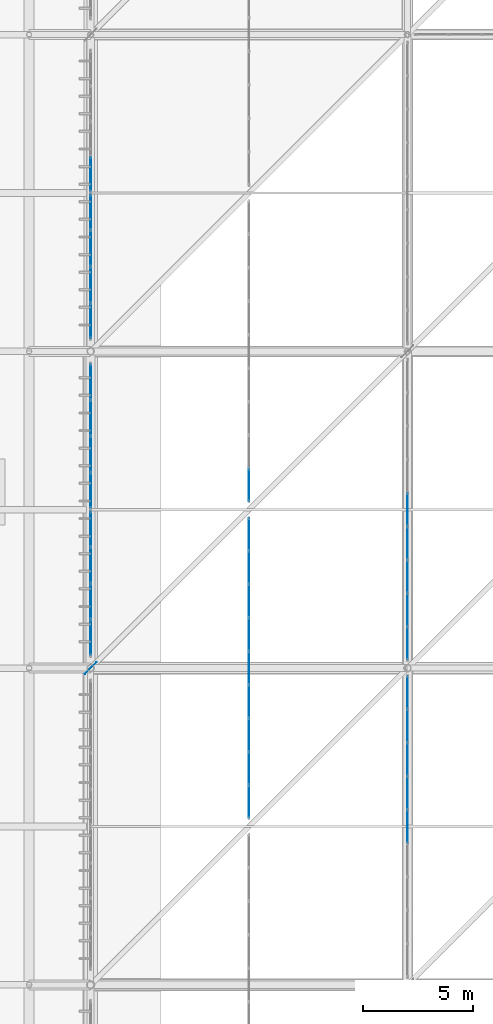
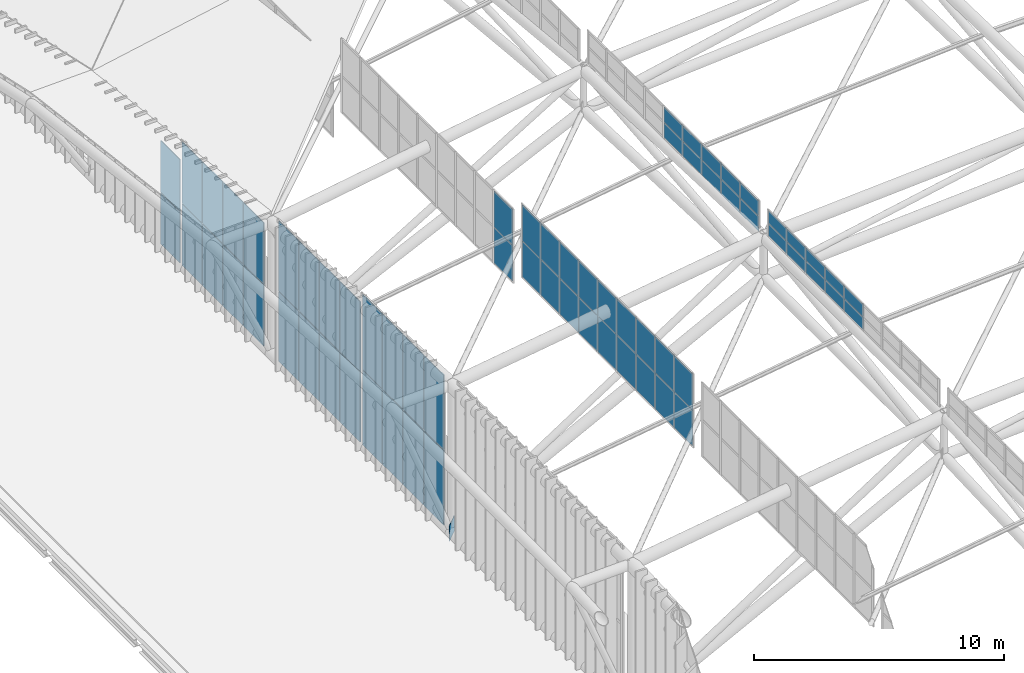
# One storey, part 372 of 397: 67 plates, 8 elements without a shape of their own.
"""IFC4 building model written with IfcOpenShell, lengths in metres."""

from ifc_helpers import new_model, si_unit, direction, frame, origin, origin_2d, place, context, subcontext, project, spatial, rectangle, extrude, material, layer, layer_set, type_object, element, aggregate, save


model = new_model("IFC4")

# Units and contexts
model_context = context("Model", 3, precision=1e-05, world=origin(), true_north=direction((0.0, 1.0)))
body_context = subcontext(model_context, "Body", "Model", "MODEL_VIEW")
ifc_project = project(units=[si_unit("LENGTHUNIT", "METRE"), si_unit("AREAUNIT", "SQUARE_METRE"), si_unit("VOLUMEUNIT", "CUBIC_METRE"), si_unit("PLANEANGLEUNIT", "RADIAN"), si_unit("MASSUNIT", "GRAM", prefix="KILO")], contexts=[model_context])

# Site, building, storey
site_placement = place(None, origin())
site = spatial("IfcSite", under=ifc_project, at=site_placement, CompositionType="ELEMENT")
building_placement = place(site_placement, origin())
building = spatial("IfcBuilding", under=site, at=building_placement, Name="Qandorah Velis Arena", CompositionType="ELEMENT")
storey_placement = place(building_placement, frame((0.0, 0.0, 27.5)))
storey = spatial("IfcBuildingStorey", under=building, at=storey_placement, Name="RF", CompositionType="ELEMENT", Elevation=27.5)

# Curtain wall, plates
ifc_material_1 = material(Name="Solar-control low-E double glazing", Category="glass")
curtain_wall_type_1 = type_object("IfcCurtainWallType", Name="ARC-CW-SYS10", PredefinedType="USERDEFINED", material=ifc_material_1)
curtain_wall_1_placement = place(storey_placement, origin())
curtain_wall_1 = element("IfcCurtainWall", 1, at=curtain_wall_1_placement, inside=storey, type_object=curtain_wall_type_1, Name="Unitised curtain wall MON-1-4", ObjectType="UNITISED CURTAIN WALL", PredefinedType="USERDEFINED")
ifc_layer_1 = layer(ifc_material_1, 0.030029296875)
ifc_layer_set_1 = layer_set([ifc_layer_1], Name="Solar-control low-E double glazing")
plate_type_1 = type_object("IfcPlateType", Name="ARC-CWP-GLZ30", PredefinedType="CURTAIN_PANEL", material=ifc_layer_set_1)
plate_1_placement = place(storey_placement, frame((21.60009765625, 65.9248046875, 5.89013671875), z_axis=(0.0, 0.0, 1.0), x_axis=(0.0, 1.0, 0.0)))
plate_1 = element("IfcPlate", 2, at=plate_1_placement, type_object=plate_type_1, Name="CW10 panel 1.1", PredefinedType="CURTAIN_PANEL", context=body_context, shape_type="SweptSolid", body=[
    extrude(rectangle(XDim=1.459716796875, YDim=0.030029296875, at=origin_2d()), origin(), (0.0, 0.0, 1.0), 1.737548828125),
])
plate_2_placement = place(storey_placement, frame((21.60009765625, 65.9248046875, 7.66259765625), z_axis=(0.0, 0.0, 1.0), x_axis=(0.0, 1.0, 0.0)))
plate_2 = element("IfcPlate", 3, at=plate_2_placement, type_object=plate_type_1, Name="CW10 panel 1.2", PredefinedType="CURTAIN_PANEL", context=body_context, shape_type="SweptSolid", body=[
    extrude(rectangle(XDim=1.459716796875, YDim=0.030029296875, at=origin_2d()), origin(), (0.0, 0.0, 1.0), 1.737548828125),
])
plate_3_placement = place(storey_placement, frame((21.60009765625, 67.433349609375, 5.89013671875), z_axis=(0.0, 0.0, 1.0), x_axis=(0.0, 1.0, 0.0)))
plate_3 = element("IfcPlate", 4, at=plate_3_placement, type_object=plate_type_1, Name="CW10 panel 2.1", PredefinedType="CURTAIN_PANEL", context=body_context, shape_type="SweptSolid", body=[
    extrude(rectangle(XDim=1.4873046875, YDim=0.030029296875, at=origin_2d()), origin(), (0.0, 0.0, 1.0), 1.737548828125),
])
plate_4_placement = place(storey_placement, frame((21.60009765625, 67.433349609375, 7.66259765625), z_axis=(0.0, 0.0, 1.0), x_axis=(0.0, 1.0, 0.0)))
plate_4 = element("IfcPlate", 5, at=plate_4_placement, type_object=plate_type_1, Name="CW10 panel 2.2", PredefinedType="CURTAIN_PANEL", context=body_context, shape_type="SweptSolid", body=[
    extrude(rectangle(XDim=1.4873046875, YDim=0.030029296875, at=origin_2d()), origin(), (0.0, 0.0, 1.0), 1.737548828125),
])
plate_5_placement = place(storey_placement, frame((21.60009765625, 68.95556640625, 5.89013671875), z_axis=(0.0, 0.0, 1.0), x_axis=(0.0, 1.0, 0.0)))
plate_5 = element("IfcPlate", 6, at=plate_5_placement, type_object=plate_type_1, Name="CW10 panel 3.1", PredefinedType="CURTAIN_PANEL", context=body_context, shape_type="SweptSolid", body=[
    extrude(rectangle(XDim=1.4873046875, YDim=0.030029296875, at=origin_2d()), origin(), (0.0, 0.0, 1.0), 1.737548828125),
])
plate_6_placement = place(storey_placement, frame((21.60009765625, 68.95556640625, 7.66259765625), z_axis=(0.0, 0.0, 1.0), x_axis=(0.0, 1.0, 0.0)))
plate_6 = element("IfcPlate", 7, at=plate_6_placement, type_object=plate_type_1, Name="CW10 panel 3.2", PredefinedType="CURTAIN_PANEL", context=body_context, shape_type="SweptSolid", body=[
    extrude(rectangle(XDim=1.4873046875, YDim=0.030029296875, at=origin_2d()), origin(), (0.0, 0.0, 1.0), 1.737548828125),
])
plate_7_placement = place(storey_placement, frame((21.60009765625, 70.477783203125, 5.89013671875), z_axis=(0.0, 0.0, 1.0), x_axis=(0.0, 1.0, 0.0)))
plate_7 = element("IfcPlate", 8, at=plate_7_placement, type_object=plate_type_1, Name="CW10 panel 4.1", PredefinedType="CURTAIN_PANEL", context=body_context, shape_type="SweptSolid", body=[
    extrude(rectangle(XDim=1.4873046875, YDim=0.030029296875, at=origin_2d()), origin(), (0.0, 0.0, 1.0), 1.737548828125),
])
plate_8_placement = place(storey_placement, frame((21.60009765625, 70.477783203125, 7.66259765625), z_axis=(0.0, 0.0, 1.0), x_axis=(0.0, 1.0, 0.0)))
plate_8 = element("IfcPlate", 9, at=plate_8_placement, type_object=plate_type_1, Name="CW10 panel 4.2", PredefinedType="CURTAIN_PANEL", context=body_context, shape_type="SweptSolid", body=[
    extrude(rectangle(XDim=1.4873046875, YDim=0.030029296875, at=origin_2d()), origin(), (0.0, 0.0, 1.0), 1.737548828125),
])
plate_9_placement = place(storey_placement, frame((21.60009765625, 72.0, 5.89013671875), z_axis=(0.0, 0.0, 1.0), x_axis=(0.0, 1.0, 0.0)))
plate_9 = element("IfcPlate", 10, at=plate_9_placement, type_object=plate_type_1, Name="CW10 panel 5.1", PredefinedType="CURTAIN_PANEL", context=body_context, shape_type="SweptSolid", body=[
    extrude(rectangle(XDim=1.4873046875, YDim=0.030029296875, at=origin_2d()), origin(), (0.0, 0.0, 1.0), 1.737548828125),
])
plate_10_placement = place(storey_placement, frame((21.60009765625, 72.0, 7.66259765625), z_axis=(0.0, 0.0, 1.0), x_axis=(0.0, 1.0, 0.0)))
plate_10 = element("IfcPlate", 11, at=plate_10_placement, type_object=plate_type_1, Name="CW10 panel 5.2", PredefinedType="CURTAIN_PANEL", context=body_context, shape_type="SweptSolid", body=[
    extrude(rectangle(XDim=1.4873046875, YDim=0.030029296875, at=origin_2d()), origin(), (0.0, 0.0, 1.0), 1.737548828125),
])
plate_11_placement = place(storey_placement, frame((21.60009765625, 73.522216796875, 5.89013671875), z_axis=(0.0, 0.0, 1.0), x_axis=(0.0, 1.0, 0.0)))
plate_11 = element("IfcPlate", 12, at=plate_11_placement, type_object=plate_type_1, Name="CW10 panel 6.1", PredefinedType="CURTAIN_PANEL", context=body_context, shape_type="SweptSolid", body=[
    extrude(rectangle(XDim=1.4873046875, YDim=0.030029296875, at=origin_2d()), origin(), (0.0, 0.0, 1.0), 1.737548828125),
])
plate_12_placement = place(storey_placement, frame((21.60009765625, 73.522216796875, 7.66259765625), z_axis=(0.0, 0.0, 1.0), x_axis=(0.0, 1.0, 0.0)))
plate_12 = element("IfcPlate", 13, at=plate_12_placement, type_object=plate_type_1, Name="CW10 panel 6.2", PredefinedType="CURTAIN_PANEL", context=body_context, shape_type="SweptSolid", body=[
    extrude(rectangle(XDim=1.4873046875, YDim=0.030029296875, at=origin_2d()), origin(), (0.0, 0.0, 1.0), 1.737548828125),
])
plate_13_placement = place(storey_placement, frame((21.60009765625, 75.04443359375, 5.89013671875), z_axis=(0.0, 0.0, 1.0), x_axis=(0.0, 1.0, 0.0)))
plate_13 = element("IfcPlate", 14, at=plate_13_placement, type_object=plate_type_1, Name="CW10 panel 7.1", PredefinedType="CURTAIN_PANEL", context=body_context, shape_type="SweptSolid", body=[
    extrude(rectangle(XDim=1.4873046875, YDim=0.030029296875, at=origin_2d()), origin(), (0.0, 0.0, 1.0), 1.737548828125),
])
plate_14_placement = place(storey_placement, frame((21.60009765625, 75.04443359375, 7.66259765625), z_axis=(0.0, 0.0, 1.0), x_axis=(0.0, 1.0, 0.0)))
plate_14 = element("IfcPlate", 15, at=plate_14_placement, type_object=plate_type_1, Name="CW10 panel 7.2", PredefinedType="CURTAIN_PANEL", context=body_context, shape_type="SweptSolid", body=[
    extrude(rectangle(XDim=1.4873046875, YDim=0.030029296875, at=origin_2d()), origin(), (0.0, 0.0, 1.0), 1.737548828125),
])
plate_15_placement = place(storey_placement, frame((21.60009765625, 76.566650390625, 5.89013671875), z_axis=(0.0, 0.0, 1.0), x_axis=(0.0, 1.0, 0.0)))
plate_15 = element("IfcPlate", 16, at=plate_15_placement, type_object=plate_type_1, Name="CW10 panel 8.1", PredefinedType="CURTAIN_PANEL", context=body_context, shape_type="SweptSolid", body=[
    extrude(rectangle(XDim=1.4873046875, YDim=0.030029296875, at=origin_2d()), origin(), (0.0, 0.0, 1.0), 1.737548828125),
])
plate_16_placement = place(storey_placement, frame((21.60009765625, 76.566650390625, 7.66259765625), z_axis=(0.0, 0.0, 1.0), x_axis=(0.0, 1.0, 0.0)))
plate_16 = element("IfcPlate", 17, at=plate_16_placement, type_object=plate_type_1, Name="CW10 panel 8.2", PredefinedType="CURTAIN_PANEL", context=body_context, shape_type="SweptSolid", body=[
    extrude(rectangle(XDim=1.4873046875, YDim=0.030029296875, at=origin_2d()), origin(), (0.0, 0.0, 1.0), 1.737548828125),
])
plate_17_placement = place(storey_placement, frame((21.60009765625, 78.0751953125, 5.89013671875), z_axis=(0.0, 0.0, 1.0), x_axis=(0.0, 1.0, 0.0)))
plate_17 = element("IfcPlate", 18, at=plate_17_placement, type_object=plate_type_1, Name="CW10 panel 9.1", PredefinedType="CURTAIN_PANEL", context=body_context, shape_type="SweptSolid", body=[
    extrude(rectangle(XDim=1.459716796875, YDim=0.030029296875, at=origin_2d()), origin(), (0.0, 0.0, 1.0), 1.737548828125),
])
plate_18_placement = place(storey_placement, frame((21.60009765625, 78.0751953125, 7.66259765625), z_axis=(0.0, 0.0, 1.0), x_axis=(0.0, 1.0, 0.0)))
plate_18 = element("IfcPlate", 19, at=plate_18_placement, type_object=plate_type_1, Name="CW10 panel 9.2", PredefinedType="CURTAIN_PANEL", context=body_context, shape_type="SweptSolid", body=[
    extrude(rectangle(XDim=1.459716796875, YDim=0.030029296875, at=origin_2d()), origin(), (0.0, 0.0, 1.0), 1.737548828125),
])
aggregate(curtain_wall_1, [plate_1, plate_2, plate_3, plate_4, plate_5, plate_6, plate_7, plate_8, plate_9, plate_10, plate_11, plate_12, plate_13, plate_14, plate_15, plate_16, plate_17, plate_18])

curtain_wall_type_2 = type_object("IfcCurtainWallType", Name="ARC-CW-SYS11", PredefinedType="USERDEFINED", material=ifc_material_1)
curtain_wall_2_placement = place(storey_placement, origin())
curtain_wall_2 = element("IfcCurtainWall", 20, at=curtain_wall_2_placement, inside=storey, type_object=curtain_wall_type_2, Name="Unitised curtain wall MON-1-5", ObjectType="UNITISED CURTAIN WALL", PredefinedType="USERDEFINED")
plate_19_placement = place(storey_placement, frame((21.60009765625, 80.324951171875, 5.1943359375), z_axis=(0.0, 0.0, 1.0), x_axis=(0.0, 1.0, 0.0)))
plate_19 = element("IfcPlate", 21, at=plate_19_placement, type_object=plate_type_1, Name="CW11 panel 1.1", PredefinedType="CURTAIN_PANEL", context=body_context, shape_type="SweptSolid", body=[
    extrude(rectangle(XDim=1.459716796875, YDim=0.030029296875, at=origin_2d()), origin(), (0.0, 0.0, 1.0), 1.737548828125),
])
plate_20_placement = place(storey_placement, frame((21.60009765625, 80.324951171875, 6.966796875), z_axis=(0.0, 0.0, 1.0), x_axis=(0.0, 1.0, 0.0)))
plate_20 = element("IfcPlate", 22, at=plate_20_placement, type_object=plate_type_1, Name="CW11 panel 1.2", PredefinedType="CURTAIN_PANEL", context=body_context, shape_type="SweptSolid", body=[
    extrude(rectangle(XDim=1.459716796875, YDim=0.030029296875, at=origin_2d()), origin(), (0.0, 0.0, 1.0), 1.737548828125),
])
aggregate(curtain_wall_2, [plate_19, plate_20])

curtain_wall_type_3 = type_object("IfcCurtainWallType", Name="ARC-CW-SYS08", PredefinedType="USERDEFINED", material=ifc_material_1)
curtain_wall_3_placement = place(storey_placement, origin())
curtain_wall_3 = element("IfcCurtainWall", 23, at=curtain_wall_3_placement, inside=storey, type_object=curtain_wall_type_3, Name="Unitised curtain wall OCULUS-1-3", ObjectType="UNITISED CURTAIN WALL", PredefinedType="USERDEFINED")
plate_21_placement = place(storey_placement, frame((28.800048828125, 64.800048828125, 9.744140625), z_axis=(0.0, 0.0, 1.0), x_axis=(0.0, 1.0, 0.0)))
plate_21 = element("IfcPlate", 24, at=plate_21_placement, type_object=plate_type_1, Name="CW08 panel 5.1", PredefinedType="CURTAIN_PANEL", context=body_context, shape_type="SweptSolid", body=[
    extrude(rectangle(XDim=1.4873046875, YDim=0.030029296875, at=origin_2d()), origin(), (0.0, 0.0, 1.0), 0.587890625),
])
plate_22_placement = place(storey_placement, frame((28.800048828125, 64.800048828125, 10.366943359375), z_axis=(0.0, 0.0, 1.0), x_axis=(0.0, 1.0, 0.0)))
plate_22 = element("IfcPlate", 25, at=plate_22_placement, type_object=plate_type_1, Name="CW08 panel 5.2", PredefinedType="CURTAIN_PANEL", context=body_context, shape_type="SweptSolid", body=[
    extrude(rectangle(XDim=1.4873046875, YDim=0.030029296875, at=origin_2d()), origin(), (0.0, 0.0, 1.0), 0.587890625),
])
plate_23_placement = place(storey_placement, frame((28.800048828125, 66.322265625, 9.744140625), z_axis=(0.0, 0.0, 1.0), x_axis=(0.0, 1.0, 0.0)))
plate_23 = element("IfcPlate", 26, at=plate_23_placement, type_object=plate_type_1, Name="CW08 panel 6.1", PredefinedType="CURTAIN_PANEL", context=body_context, shape_type="SweptSolid", body=[
    extrude(rectangle(XDim=1.4873046875, YDim=0.030029296875, at=origin_2d()), origin(), (0.0, 0.0, 1.0), 0.587890625),
])
plate_24_placement = place(storey_placement, frame((28.800048828125, 66.322265625, 10.366943359375), z_axis=(0.0, 0.0, 1.0), x_axis=(0.0, 1.0, 0.0)))
plate_24 = element("IfcPlate", 27, at=plate_24_placement, type_object=plate_type_1, Name="CW08 panel 6.2", PredefinedType="CURTAIN_PANEL", context=body_context, shape_type="SweptSolid", body=[
    extrude(rectangle(XDim=1.4873046875, YDim=0.030029296875, at=origin_2d()), origin(), (0.0, 0.0, 1.0), 0.587890625),
])
plate_25_placement = place(storey_placement, frame((28.800048828125, 67.844482421875, 9.744140625), z_axis=(0.0, 0.0, 1.0), x_axis=(0.0, 1.0, 0.0)))
plate_25 = element("IfcPlate", 28, at=plate_25_placement, type_object=plate_type_1, Name="CW08 panel 7.1", PredefinedType="CURTAIN_PANEL", context=body_context, shape_type="SweptSolid", body=[
    extrude(rectangle(XDim=1.4873046875, YDim=0.030029296875, at=origin_2d()), origin(), (0.0, 0.0, 1.0), 0.587890625),
])
plate_26_placement = place(storey_placement, frame((28.800048828125, 67.844482421875, 10.366943359375), z_axis=(0.0, 0.0, 1.0), x_axis=(0.0, 1.0, 0.0)))
plate_26 = element("IfcPlate", 29, at=plate_26_placement, type_object=plate_type_1, Name="CW08 panel 7.2", PredefinedType="CURTAIN_PANEL", context=body_context, shape_type="SweptSolid", body=[
    extrude(rectangle(XDim=1.4873046875, YDim=0.030029296875, at=origin_2d()), origin(), (0.0, 0.0, 1.0), 0.587890625),
])
plate_27_placement = place(storey_placement, frame((28.800048828125, 69.36669921875, 9.744140625), z_axis=(0.0, 0.0, 1.0), x_axis=(0.0, 1.0, 0.0)))
plate_27 = element("IfcPlate", 30, at=plate_27_placement, type_object=plate_type_1, Name="CW08 panel 8.1", PredefinedType="CURTAIN_PANEL", context=body_context, shape_type="SweptSolid", body=[
    extrude(rectangle(XDim=1.4873046875, YDim=0.030029296875, at=origin_2d()), origin(), (0.0, 0.0, 1.0), 0.587890625),
])
plate_28_placement = place(storey_placement, frame((28.800048828125, 69.36669921875, 10.366943359375), z_axis=(0.0, 0.0, 1.0), x_axis=(0.0, 1.0, 0.0)))
plate_28 = element("IfcPlate", 31, at=plate_28_placement, type_object=plate_type_1, Name="CW08 panel 8.2", PredefinedType="CURTAIN_PANEL", context=body_context, shape_type="SweptSolid", body=[
    extrude(rectangle(XDim=1.4873046875, YDim=0.030029296875, at=origin_2d()), origin(), (0.0, 0.0, 1.0), 0.587890625),
])
plate_29_placement = place(storey_placement, frame((28.800048828125, 70.875244140625, 9.744140625), z_axis=(0.0, 0.0, 1.0), x_axis=(0.0, 1.0, 0.0)))
plate_29 = element("IfcPlate", 32, at=plate_29_placement, type_object=plate_type_1, Name="CW08 panel 9.1", PredefinedType="CURTAIN_PANEL", context=body_context, shape_type="SweptSolid", body=[
    extrude(rectangle(XDim=1.459716796875, YDim=0.030029296875, at=origin_2d()), origin(), (0.0, 0.0, 1.0), 0.587890625),
])
plate_30_placement = place(storey_placement, frame((28.800048828125, 70.875244140625, 10.366943359375), z_axis=(0.0, 0.0, 1.0), x_axis=(0.0, 1.0, 0.0)))
plate_30 = element("IfcPlate", 33, at=plate_30_placement, type_object=plate_type_1, Name="CW08 panel 9.2", PredefinedType="CURTAIN_PANEL", context=body_context, shape_type="SweptSolid", body=[
    extrude(rectangle(XDim=1.459716796875, YDim=0.030029296875, at=origin_2d()), origin(), (0.0, 0.0, 1.0), 0.587890625),
])
aggregate(curtain_wall_3, [plate_21, plate_22, plate_23, plate_24, plate_25, plate_26, plate_27, plate_28, plate_29, plate_30])

curtain_wall_type_4 = type_object("IfcCurtainWallType", Name="ARC-CW-SYS09", PredefinedType="USERDEFINED", material=ifc_material_1)
curtain_wall_4_placement = place(storey_placement, origin())
curtain_wall_4 = element("IfcCurtainWall", 34, at=curtain_wall_4_placement, inside=storey, type_object=curtain_wall_type_4, Name="Unitised curtain wall OCULUS-1-4", ObjectType="UNITISED CURTAIN WALL", PredefinedType="USERDEFINED")
plate_31_placement = place(storey_placement, frame((28.800048828125, 73.124755859375, 9.47265625), z_axis=(0.0, 0.0, 1.0), x_axis=(0.0, 1.0, 0.0)))
plate_31 = element("IfcPlate", 35, at=plate_31_placement, type_object=plate_type_1, Name="CW09 panel 1.1", PredefinedType="CURTAIN_PANEL", context=body_context, shape_type="SweptSolid", body=[
    extrude(rectangle(XDim=1.459716796875, YDim=0.030029296875, at=origin_2d()), origin(), (0.0, 0.0, 1.0), 0.723876953125),
])
plate_32_placement = place(storey_placement, frame((28.800048828125, 73.124755859375, 10.2314453125), z_axis=(0.0, 0.0, 1.0), x_axis=(0.0, 1.0, 0.0)))
plate_32 = element("IfcPlate", 36, at=plate_32_placement, type_object=plate_type_1, Name="CW09 panel 1.2", PredefinedType="CURTAIN_PANEL", context=body_context, shape_type="SweptSolid", body=[
    extrude(rectangle(XDim=1.459716796875, YDim=0.030029296875, at=origin_2d()), origin(), (0.0, 0.0, 1.0), 0.7236328125),
])
plate_33_placement = place(storey_placement, frame((28.800048828125, 74.63330078125, 9.47265625), z_axis=(0.0, 0.0, 1.0), x_axis=(0.0, 1.0, 0.0)))
plate_33 = element("IfcPlate", 37, at=plate_33_placement, type_object=plate_type_1, Name="CW09 panel 2.1", PredefinedType="CURTAIN_PANEL", context=body_context, shape_type="SweptSolid", body=[
    extrude(rectangle(XDim=1.4873046875, YDim=0.030029296875, at=origin_2d()), origin(), (0.0, 0.0, 1.0), 0.723876953125),
])
plate_34_placement = place(storey_placement, frame((28.800048828125, 74.63330078125, 10.2314453125), z_axis=(0.0, 0.0, 1.0), x_axis=(0.0, 1.0, 0.0)))
plate_34 = element("IfcPlate", 38, at=plate_34_placement, type_object=plate_type_1, Name="CW09 panel 2.2", PredefinedType="CURTAIN_PANEL", context=body_context, shape_type="SweptSolid", body=[
    extrude(rectangle(XDim=1.4873046875, YDim=0.030029296875, at=origin_2d()), origin(), (0.0, 0.0, 1.0), 0.7236328125),
])
plate_35_placement = place(storey_placement, frame((28.800048828125, 76.155517578125, 9.47265625), z_axis=(0.0, 0.0, 1.0), x_axis=(0.0, 1.0, 0.0)))
plate_35 = element("IfcPlate", 39, at=plate_35_placement, type_object=plate_type_1, Name="CW09 panel 3.1", PredefinedType="CURTAIN_PANEL", context=body_context, shape_type="SweptSolid", body=[
    extrude(rectangle(XDim=1.4873046875, YDim=0.030029296875, at=origin_2d()), origin(), (0.0, 0.0, 1.0), 0.723876953125),
])
plate_36_placement = place(storey_placement, frame((28.800048828125, 76.155517578125, 10.2314453125), z_axis=(0.0, 0.0, 1.0), x_axis=(0.0, 1.0, 0.0)))
plate_36 = element("IfcPlate", 40, at=plate_36_placement, type_object=plate_type_1, Name="CW09 panel 3.2", PredefinedType="CURTAIN_PANEL", context=body_context, shape_type="SweptSolid", body=[
    extrude(rectangle(XDim=1.4873046875, YDim=0.030029296875, at=origin_2d()), origin(), (0.0, 0.0, 1.0), 0.7236328125),
])
plate_37_placement = place(storey_placement, frame((28.800048828125, 77.677734375, 9.47265625), z_axis=(0.0, 0.0, 1.0), x_axis=(0.0, 1.0, 0.0)))
plate_37 = element("IfcPlate", 41, at=plate_37_placement, type_object=plate_type_1, Name="CW09 panel 4.1", PredefinedType="CURTAIN_PANEL", context=body_context, shape_type="SweptSolid", body=[
    extrude(rectangle(XDim=1.4873046875, YDim=0.030029296875, at=origin_2d()), origin(), (0.0, 0.0, 1.0), 0.723876953125),
])
plate_38_placement = place(storey_placement, frame((28.800048828125, 77.677734375, 10.2314453125), z_axis=(0.0, 0.0, 1.0), x_axis=(0.0, 1.0, 0.0)))
plate_38 = element("IfcPlate", 42, at=plate_38_placement, type_object=plate_type_1, Name="CW09 panel 4.2", PredefinedType="CURTAIN_PANEL", context=body_context, shape_type="SweptSolid", body=[
    extrude(rectangle(XDim=1.4873046875, YDim=0.030029296875, at=origin_2d()), origin(), (0.0, 0.0, 1.0), 0.7236328125),
])
plate_39_placement = place(storey_placement, frame((28.800048828125, 79.199951171875, 9.47265625), z_axis=(0.0, 0.0, 1.0), x_axis=(0.0, 1.0, 0.0)))
plate_39 = element("IfcPlate", 43, at=plate_39_placement, type_object=plate_type_1, Name="CW09 panel 5.1", PredefinedType="CURTAIN_PANEL", context=body_context, shape_type="SweptSolid", body=[
    extrude(rectangle(XDim=1.4873046875, YDim=0.030029296875, at=origin_2d()), origin(), (0.0, 0.0, 1.0), 0.723876953125),
])
plate_40_placement = place(storey_placement, frame((28.800048828125, 79.199951171875, 10.2314453125), z_axis=(0.0, 0.0, 1.0), x_axis=(0.0, 1.0, 0.0)))
plate_40 = element("IfcPlate", 44, at=plate_40_placement, type_object=plate_type_1, Name="CW09 panel 5.2", PredefinedType="CURTAIN_PANEL", context=body_context, shape_type="SweptSolid", body=[
    extrude(rectangle(XDim=1.4873046875, YDim=0.030029296875, at=origin_2d()), origin(), (0.0, 0.0, 1.0), 0.7236328125),
])
aggregate(curtain_wall_4, [plate_31, plate_32, plate_33, plate_34, plate_35, plate_36, plate_37, plate_38, plate_39, plate_40])

curtain_wall_type_5 = type_object("IfcCurtainWallType", Name="ARC-CW-SYS05", PredefinedType="USERDEFINED", material=ifc_material_1)
curtain_wall_5_placement = place(storey_placement, origin())
curtain_wall_5 = element("IfcCurtainWall", 45, at=curtain_wall_5_placement, inside=storey, type_object=curtain_wall_type_5, Name="Unitised curtain wall CROWN-1-05S1", ObjectType="UNITISED CURTAIN WALL", PredefinedType="USERDEFINED")
ifc_layer_2 = layer(ifc_material_1, 0.035888671875)
ifc_layer_set_2 = layer_set([ifc_layer_2], Name="Solar-control low-E double glazing")
plate_type_2 = type_object("IfcPlateType", Name="ARC-CWP-GLZ36", PredefinedType="CURTAIN_PANEL", material=ifc_layer_set_2)
plate_41_placement = place(storey_placement, frame((14.39990234375, 73.391357421875, 0.050048828125), z_axis=(0.0, 0.0, 1.0), x_axis=(0.0, 1.0, 0.0)))
plate_41 = element("IfcPlate", 46, at=plate_41_placement, type_object=plate_type_2, Name="CW05 panel 1.1", PredefinedType="CURTAIN_PANEL", context=body_context, shape_type="SweptSolid", body=[
    extrude(rectangle(XDim=1.58251953125, YDim=0.035888671875, at=origin_2d()), origin(), (0.0, 0.0, 1.0), 3.64111328125),
])
plate_42_placement = place(storey_placement, frame((14.39990234375, 73.391357421875, 3.73095703125), z_axis=(0.0, 0.0, 1.0), x_axis=(0.0, 1.0, 0.0)))
plate_42 = element("IfcPlate", 47, at=plate_42_placement, type_object=plate_type_2, Name="CW05 panel 1.2", PredefinedType="CURTAIN_PANEL", context=body_context, shape_type="SweptSolid", body=[
    extrude(rectangle(XDim=1.58251953125, YDim=0.035888671875, at=origin_2d()), origin(), (0.0, 0.0, 1.0), 3.641357421875),
])
plate_43_placement = place(storey_placement, frame((14.39990234375, 75.02880859375, 0.050048828125), z_axis=(0.0, 0.0, 1.0), x_axis=(0.0, 1.0, 0.0)))
plate_43 = element("IfcPlate", 48, at=plate_43_placement, type_object=plate_type_2, Name="CW05 panel 2.1", PredefinedType="CURTAIN_PANEL", context=body_context, shape_type="SweptSolid", body=[
    extrude(rectangle(XDim=1.612548828125, YDim=0.035888671875, at=origin_2d()), origin(), (0.0, 0.0, 1.0), 3.64111328125),
])
plate_44_placement = place(storey_placement, frame((14.39990234375, 75.02880859375, 3.73095703125), z_axis=(0.0, 0.0, 1.0), x_axis=(0.0, 1.0, 0.0)))
plate_44 = element("IfcPlate", 49, at=plate_44_placement, type_object=plate_type_2, Name="CW05 panel 2.2", PredefinedType="CURTAIN_PANEL", context=body_context, shape_type="SweptSolid", body=[
    extrude(rectangle(XDim=1.612548828125, YDim=0.035888671875, at=origin_2d()), origin(), (0.0, 0.0, 1.0), 3.641357421875),
])
plate_45_placement = place(storey_placement, frame((14.39990234375, 76.68115234375, 0.050048828125), z_axis=(0.0, 0.0, 1.0), x_axis=(0.0, 1.0, 0.0)))
plate_45 = element("IfcPlate", 50, at=plate_45_placement, type_object=plate_type_2, Name="CW05 panel 3.1", PredefinedType="CURTAIN_PANEL", context=body_context, shape_type="SweptSolid", body=[
    extrude(rectangle(XDim=1.612548828125, YDim=0.035888671875, at=origin_2d()), origin(), (0.0, 0.0, 1.0), 3.64111328125),
])
plate_46_placement = place(storey_placement, frame((14.39990234375, 76.68115234375, 3.73095703125), z_axis=(0.0, 0.0, 1.0), x_axis=(0.0, 1.0, 0.0)))
plate_46 = element("IfcPlate", 51, at=plate_46_placement, type_object=plate_type_2, Name="CW05 panel 3.2", PredefinedType="CURTAIN_PANEL", context=body_context, shape_type="SweptSolid", body=[
    extrude(rectangle(XDim=1.612548828125, YDim=0.035888671875, at=origin_2d()), origin(), (0.0, 0.0, 1.0), 3.641357421875),
])
plate_47_placement = place(storey_placement, frame((14.39990234375, 78.31884765625, 0.050048828125), z_axis=(0.0, 0.0, 1.0), x_axis=(0.0, 1.0, 0.0)))
plate_47 = element("IfcPlate", 52, at=plate_47_placement, type_object=plate_type_2, Name="CW05 panel 4.1", PredefinedType="CURTAIN_PANEL", context=body_context, shape_type="SweptSolid", body=[
    extrude(rectangle(XDim=1.58251953125, YDim=0.035888671875, at=origin_2d()), origin(), (0.0, 0.0, 1.0), 3.64111328125),
])
plate_48_placement = place(storey_placement, frame((14.39990234375, 78.31884765625, 3.73095703125), z_axis=(0.0, 0.0, 1.0), x_axis=(0.0, 1.0, 0.0)))
plate_48 = element("IfcPlate", 53, at=plate_48_placement, type_object=plate_type_2, Name="CW05 panel 4.2", PredefinedType="CURTAIN_PANEL", context=body_context, shape_type="SweptSolid", body=[
    extrude(rectangle(XDim=1.58251953125, YDim=0.035888671875, at=origin_2d()), origin(), (0.0, 0.0, 1.0), 3.641357421875),
])
aggregate(curtain_wall_5, [plate_41, plate_42, plate_43, plate_44, plate_45, plate_46, plate_47, plate_48])

curtain_wall_type_6 = type_object("IfcCurtainWallType", Name="ARC-CW-SYS06", PredefinedType="USERDEFINED", material=ifc_material_1)
curtain_wall_6_placement = place(storey_placement, origin())
curtain_wall_6 = element("IfcCurtainWall", 54, at=curtain_wall_6_placement, inside=storey, type_object=curtain_wall_type_6, Name="Unitised curtain wall CROWN-1-05S2", ObjectType="UNITISED CURTAIN WALL", PredefinedType="USERDEFINED")
plate_49_placement = place(storey_placement, frame((14.39990234375, 80.081298828125, 0.050048828125), z_axis=(0.0, 0.0, 1.0), x_axis=(0.0, 1.0, 0.0)))
plate_49 = element("IfcPlate", 55, at=plate_49_placement, type_object=plate_type_2, Name="CW06 panel 1.1", PredefinedType="CURTAIN_PANEL", context=body_context, shape_type="SweptSolid", body=[
    extrude(rectangle(XDim=1.58251953125, YDim=0.035888671875, at=origin_2d()), origin(), (0.0, 0.0, 1.0), 3.4033203125),
])
plate_50_placement = place(storey_placement, frame((14.39990234375, 80.081298828125, 3.493408203125), z_axis=(0.0, 0.0, 1.0), x_axis=(0.0, 1.0, 0.0)))
plate_50 = element("IfcPlate", 56, at=plate_50_placement, type_object=plate_type_2, Name="CW06 panel 1.2", PredefinedType="CURTAIN_PANEL", context=body_context, shape_type="SweptSolid", body=[
    extrude(rectangle(XDim=1.58251953125, YDim=0.035888671875, at=origin_2d()), origin(), (0.0, 0.0, 1.0), 3.4033203125),
])
plate_51_placement = place(storey_placement, frame((14.39990234375, 81.71875, 0.050048828125), z_axis=(0.0, 0.0, 1.0), x_axis=(0.0, 1.0, 0.0)))
plate_51 = element("IfcPlate", 57, at=plate_51_placement, type_object=plate_type_2, Name="CW06 panel 2.1", PredefinedType="CURTAIN_PANEL", context=body_context, shape_type="SweptSolid", body=[
    extrude(rectangle(XDim=1.612548828125, YDim=0.035888671875, at=origin_2d()), origin(), (0.0, 0.0, 1.0), 3.4033203125),
])
plate_52_placement = place(storey_placement, frame((14.39990234375, 81.71875, 3.493408203125), z_axis=(0.0, 0.0, 1.0), x_axis=(0.0, 1.0, 0.0)))
plate_52 = element("IfcPlate", 58, at=plate_52_placement, type_object=plate_type_2, Name="CW06 panel 2.2", PredefinedType="CURTAIN_PANEL", context=body_context, shape_type="SweptSolid", body=[
    extrude(rectangle(XDim=1.612548828125, YDim=0.035888671875, at=origin_2d()), origin(), (0.0, 0.0, 1.0), 3.4033203125),
])
plate_53_placement = place(storey_placement, frame((14.39990234375, 83.371337890625, 0.050048828125), z_axis=(0.0, 0.0, 1.0), x_axis=(0.0, 1.0, 0.0)))
plate_53 = element("IfcPlate", 59, at=plate_53_placement, type_object=plate_type_2, Name="CW06 panel 3.1", PredefinedType="CURTAIN_PANEL", context=body_context, shape_type="SweptSolid", body=[
    extrude(rectangle(XDim=1.612548828125, YDim=0.035888671875, at=origin_2d()), origin(), (0.0, 0.0, 1.0), 3.4033203125),
])
plate_54_placement = place(storey_placement, frame((14.39990234375, 83.371337890625, 3.493408203125), z_axis=(0.0, 0.0, 1.0), x_axis=(0.0, 1.0, 0.0)))
plate_54 = element("IfcPlate", 60, at=plate_54_placement, type_object=plate_type_2, Name="CW06 panel 3.2", PredefinedType="CURTAIN_PANEL", context=body_context, shape_type="SweptSolid", body=[
    extrude(rectangle(XDim=1.612548828125, YDim=0.035888671875, at=origin_2d()), origin(), (0.0, 0.0, 1.0), 3.4033203125),
])
plate_55_placement = place(storey_placement, frame((14.39990234375, 85.0087890625, 0.050048828125), z_axis=(0.0, 0.0, 1.0), x_axis=(0.0, 1.0, 0.0)))
plate_55 = element("IfcPlate", 61, at=plate_55_placement, type_object=plate_type_2, Name="CW06 panel 4.1", PredefinedType="CURTAIN_PANEL", context=body_context, shape_type="SweptSolid", body=[
    extrude(rectangle(XDim=1.58251953125, YDim=0.035888671875, at=origin_2d()), origin(), (0.0, 0.0, 1.0), 3.4033203125),
])
plate_56_placement = place(storey_placement, frame((14.39990234375, 85.0087890625, 3.493408203125), z_axis=(0.0, 0.0, 1.0), x_axis=(0.0, 1.0, 0.0)))
plate_56 = element("IfcPlate", 62, at=plate_56_placement, type_object=plate_type_2, Name="CW06 panel 4.2", PredefinedType="CURTAIN_PANEL", context=body_context, shape_type="SweptSolid", body=[
    extrude(rectangle(XDim=1.58251953125, YDim=0.035888671875, at=origin_2d()), origin(), (0.0, 0.0, 1.0), 3.4033203125),
])
aggregate(curtain_wall_6, [plate_49, plate_50, plate_51, plate_52, plate_53, plate_54, plate_55, plate_56])

curtain_wall_7_placement = place(storey_placement, origin())
curtain_wall_7 = element("IfcCurtainWall", 63, at=curtain_wall_7_placement, inside=storey, type_object=curtain_wall_type_6, Name="Unitised curtain wall CROWN-1-06S1", ObjectType="UNITISED CURTAIN WALL", PredefinedType="USERDEFINED")
plate_57_placement = place(storey_placement, frame((14.39990234375, 87.791259765625, 0.0498046875), z_axis=(0.0, 0.0, 1.0), x_axis=(0.0, 1.0, 0.0)))
plate_57 = element("IfcPlate", 64, at=plate_57_placement, type_object=plate_type_2, Name="CW06 panel 1.1", PredefinedType="CURTAIN_PANEL", context=body_context, shape_type="SweptSolid", body=[
    extrude(rectangle(XDim=1.58251953125, YDim=0.035888671875, at=origin_2d()), origin(), (0.0, 0.0, 1.0), 2.994873046875),
])
plate_58_placement = place(storey_placement, frame((14.39990234375, 87.791259765625, 3.084716796875), z_axis=(0.0, 0.0, 1.0), x_axis=(0.0, 1.0, 0.0)))
plate_58 = element("IfcPlate", 65, at=plate_58_placement, type_object=plate_type_2, Name="CW06 panel 1.2", PredefinedType="CURTAIN_PANEL", context=body_context, shape_type="SweptSolid", body=[
    extrude(rectangle(XDim=1.58251953125, YDim=0.035888671875, at=origin_2d()), origin(), (0.0, 0.0, 1.0), 2.99462890625),
])
plate_59_placement = place(storey_placement, frame((14.39990234375, 89.4287109375, 0.0498046875), z_axis=(0.0, 0.0, 1.0), x_axis=(0.0, 1.0, 0.0)))
plate_59 = element("IfcPlate", 66, at=plate_59_placement, type_object=plate_type_2, Name="CW06 panel 2.1", PredefinedType="CURTAIN_PANEL", context=body_context, shape_type="SweptSolid", body=[
    extrude(rectangle(XDim=1.612548828125, YDim=0.035888671875, at=origin_2d()), origin(), (0.0, 0.0, 1.0), 2.994873046875),
])
plate_60_placement = place(storey_placement, frame((14.39990234375, 89.4287109375, 3.084716796875), z_axis=(0.0, 0.0, 1.0), x_axis=(0.0, 1.0, 0.0)))
plate_60 = element("IfcPlate", 67, at=plate_60_placement, type_object=plate_type_2, Name="CW06 panel 2.2", PredefinedType="CURTAIN_PANEL", context=body_context, shape_type="SweptSolid", body=[
    extrude(rectangle(XDim=1.612548828125, YDim=0.035888671875, at=origin_2d()), origin(), (0.0, 0.0, 1.0), 2.99462890625),
])
plate_61_placement = place(storey_placement, frame((14.39990234375, 91.081298828125, 0.0498046875), z_axis=(0.0, 0.0, 1.0), x_axis=(0.0, 1.0, 0.0)))
plate_61 = element("IfcPlate", 68, at=plate_61_placement, type_object=plate_type_2, Name="CW06 panel 3.1", PredefinedType="CURTAIN_PANEL", context=body_context, shape_type="SweptSolid", body=[
    extrude(rectangle(XDim=1.612548828125, YDim=0.035888671875, at=origin_2d()), origin(), (0.0, 0.0, 1.0), 2.994873046875),
])
plate_62_placement = place(storey_placement, frame((14.39990234375, 91.081298828125, 3.084716796875), z_axis=(0.0, 0.0, 1.0), x_axis=(0.0, 1.0, 0.0)))
plate_62 = element("IfcPlate", 69, at=plate_62_placement, type_object=plate_type_2, Name="CW06 panel 3.2", PredefinedType="CURTAIN_PANEL", context=body_context, shape_type="SweptSolid", body=[
    extrude(rectangle(XDim=1.612548828125, YDim=0.035888671875, at=origin_2d()), origin(), (0.0, 0.0, 1.0), 2.99462890625),
])
plate_63_placement = place(storey_placement, frame((14.39990234375, 92.71875, 0.0498046875), z_axis=(0.0, 0.0, 1.0), x_axis=(0.0, 1.0, 0.0)))
plate_63 = element("IfcPlate", 70, at=plate_63_placement, type_object=plate_type_2, Name="CW06 panel 4.1", PredefinedType="CURTAIN_PANEL", context=body_context, shape_type="SweptSolid", body=[
    extrude(rectangle(XDim=1.58251953125, YDim=0.035888671875, at=origin_2d()), origin(), (0.0, 0.0, 1.0), 2.994873046875),
])
plate_64_placement = place(storey_placement, frame((14.39990234375, 92.71875, 3.084716796875), z_axis=(0.0, 0.0, 1.0), x_axis=(0.0, 1.0, 0.0)))
plate_64 = element("IfcPlate", 71, at=plate_64_placement, type_object=plate_type_2, Name="CW06 panel 4.2", PredefinedType="CURTAIN_PANEL", context=body_context, shape_type="SweptSolid", body=[
    extrude(rectangle(XDim=1.58251953125, YDim=0.035888671875, at=origin_2d()), origin(), (0.0, 0.0, 1.0), 2.99462890625),
])
aggregate(curtain_wall_7, [plate_57, plate_58, plate_59, plate_60, plate_61, plate_62, plate_63, plate_64])

curtain_wall_type_7 = type_object("IfcCurtainWallType", Name="ARC-CW-SYS07", PredefinedType="USERDEFINED", material=ifc_material_1)
curtain_wall_8_placement = place(storey_placement, origin())
curtain_wall_8 = element("IfcCurtainWall", 72, at=curtain_wall_8_placement, inside=storey, type_object=curtain_wall_type_7, Name="Unitised curtain wall CROWN-1-06S2", ObjectType="UNITISED CURTAIN WALL", PredefinedType="USERDEFINED")
plate_65_placement = place(storey_placement, frame((14.39990234375, 94.45947265625, 0.0498046875), z_axis=(0.0, 0.0, 1.0), x_axis=(0.0, 1.0, 0.0)))
plate_65 = element("IfcPlate", 73, at=plate_65_placement, type_object=plate_type_2, Name="CW07 panel 1.1", PredefinedType="CURTAIN_PANEL", context=body_context, shape_type="SweptSolid", body=[
    extrude(rectangle(XDim=1.538818359375, YDim=0.035888671875, at=origin_2d()), origin(), (0.0, 0.0, 1.0), 2.505615234375),
])
plate_66_placement = place(storey_placement, frame((14.39990234375, 94.45947265625, 2.595703125), z_axis=(0.0, 0.0, 1.0), x_axis=(0.0, 1.0, 0.0)))
plate_66 = element("IfcPlate", 74, at=plate_66_placement, type_object=plate_type_2, Name="CW07 panel 1.2", PredefinedType="CURTAIN_PANEL", context=body_context, shape_type="SweptSolid", body=[
    extrude(rectangle(XDim=1.538818359375, YDim=0.035888671875, at=origin_2d()), origin(), (0.0, 0.0, 1.0), 2.505615234375),
])
aggregate(curtain_wall_8, [plate_65, plate_66])

# Plate
ifc_material_2 = material(Name="Steel S355", Category="steel")
ifc_layer_3 = layer(ifc_material_2, 0.02490234375)
ifc_layer_set_3 = layer_set([ifc_layer_3], Name="Steel S355")
plate_type_3 = type_object("IfcPlateType", Name="STR-PLT-GUS25", PredefinedType="SHEET", material=ifc_layer_set_3)
plate_67_placement = place(storey_placement, frame((14.39990234375, 72.0, -0.125), z_axis=(0.0, 0.0, 1.0), x_axis=(0.707106781187, 0.707106781187, 0.0)))
element("IfcPlate", 75, at=plate_67_placement, inside=storey, type_object=plate_type_3, Name="Space frame gusset plate 0.4", PredefinedType="SHEET", context=body_context, shape_type="SweptSolid", body=[
    extrude(rectangle(XDim=0.75, YDim=0.02490234375, at=origin_2d()), origin(), (0.0, 0.0, 1.0), 0.75),
])

save(model, "model.ifc")
